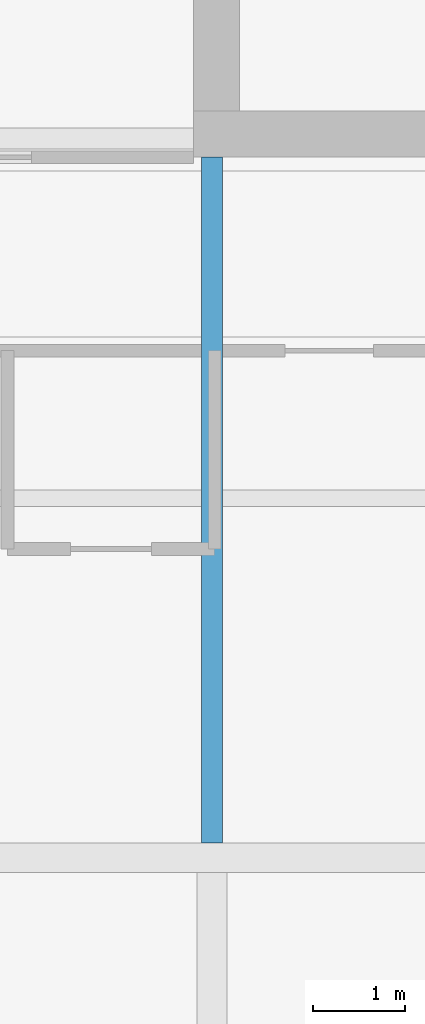
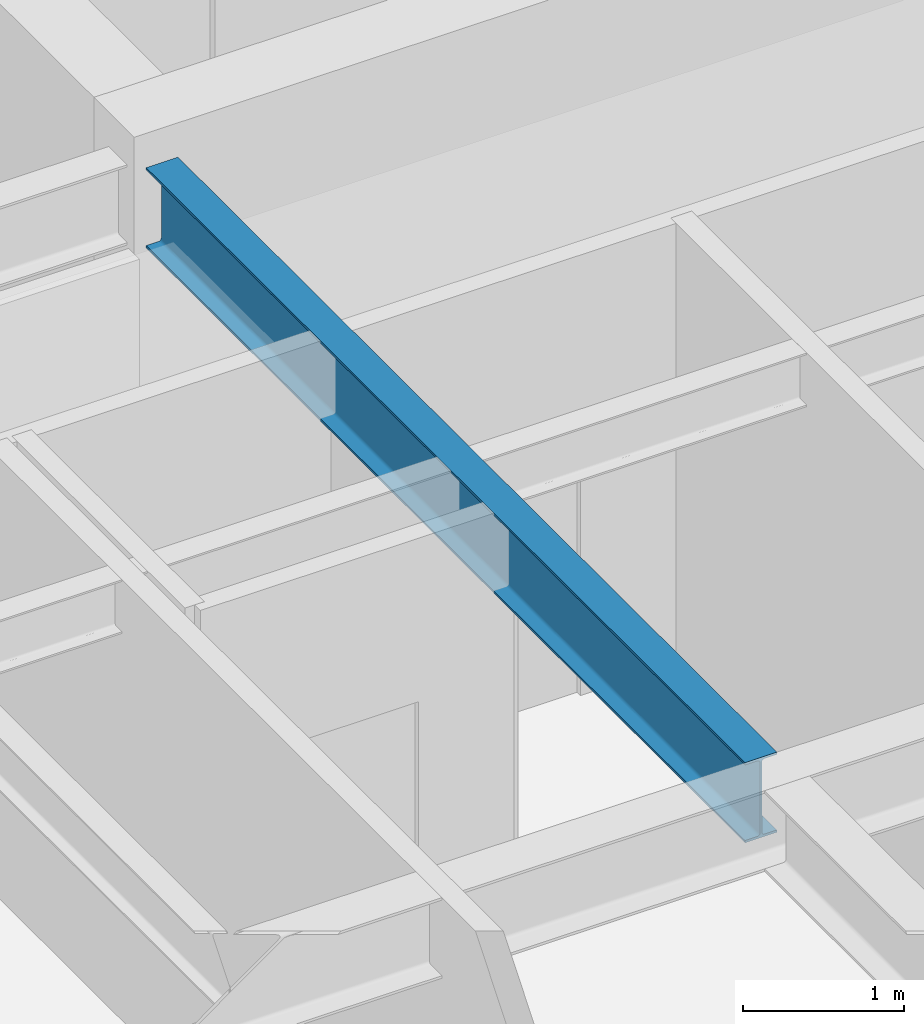
# One storey, part 5 of 34: 1 beam.
"""IFC4 building model written with IfcOpenShell, lengths in metres."""

from ifc_helpers import new_model, si_unit, direction, frame, origin, origin_2d, place, context, subcontext, project, spatial, i_section, extrude, material, material_profile, profile_set, type_object, element, save


model = new_model("IFC4")

# Units and contexts
model_context = context("Model", 3, precision=1e-05, world=origin(), true_north=direction((0.0, 1.0)))
body_context = subcontext(model_context, "Body", "Model", "MODEL_VIEW")
ifc_project = project(units=[si_unit("LENGTHUNIT", "METRE"), si_unit("AREAUNIT", "SQUARE_METRE"), si_unit("VOLUMEUNIT", "CUBIC_METRE"), si_unit("PLANEANGLEUNIT", "RADIAN"), si_unit("MASSUNIT", "GRAM", prefix="KILO")], contexts=[model_context])

# Site, building, storey
site_placement = place(None, origin())
site = spatial("IfcSite", under=ifc_project, at=site_placement, CompositionType="ELEMENT")
building_placement = place(site_placement, origin())
building = spatial("IfcBuilding", under=site, at=building_placement, Name="Drelvath Grand Hotel", CompositionType="ELEMENT")
storey_placement = place(building_placement, frame((0.0, 0.0, 208.699951171875)))
storey = spatial("IfcBuildingStorey", under=building, at=storey_placement, Name="L54", CompositionType="ELEMENT", Elevation=208.699951171875)

# Beam
ifc_material = material(Name="Steel ASTM A992 Gr 50", Category="steel")
ifc_material_profile = material_profile(ifc_material, i_section(OverallWidth=0.228271484375, OverallDepth=0.607666015625, WebThickness=0.01123046875, FlangeThickness=0.017333984375, FilletRadius=0.02001953125, at=origin_2d()), Name="W24X76")
ifc_profile_set = profile_set([ifc_material_profile], Name="Steel ASTM A992 Gr 50")
beam_type = type_object("IfcBeamType", Name="Primary Floor Girder W24X76", PredefinedType="BEAM", material=ifc_profile_set)
beam_placement = place(storey_placement, frame((-8.39990234375, 10.9619140625, 3.0361328125), z_axis=(0.0, 1.0, 0.0), x_axis=(-1.0, 0.0, 0.0)))
element("IfcBeam", 1, at=beam_placement, inside=storey, type_object=beam_type, Name="L54 South Core Tie 4", PredefinedType="BEAM", context=body_context, shape_type="SweptSolid", body=[
    extrude(i_section(OverallWidth=0.228271484375, OverallDepth=0.607666015625, WebThickness=0.01123046875, FlangeThickness=0.017333984375, FilletRadius=0.02001953125, at=origin_2d()), origin(), (0.0, 0.0, 1.0), 7.43798828125),
])

save(model, "model.ifc")
